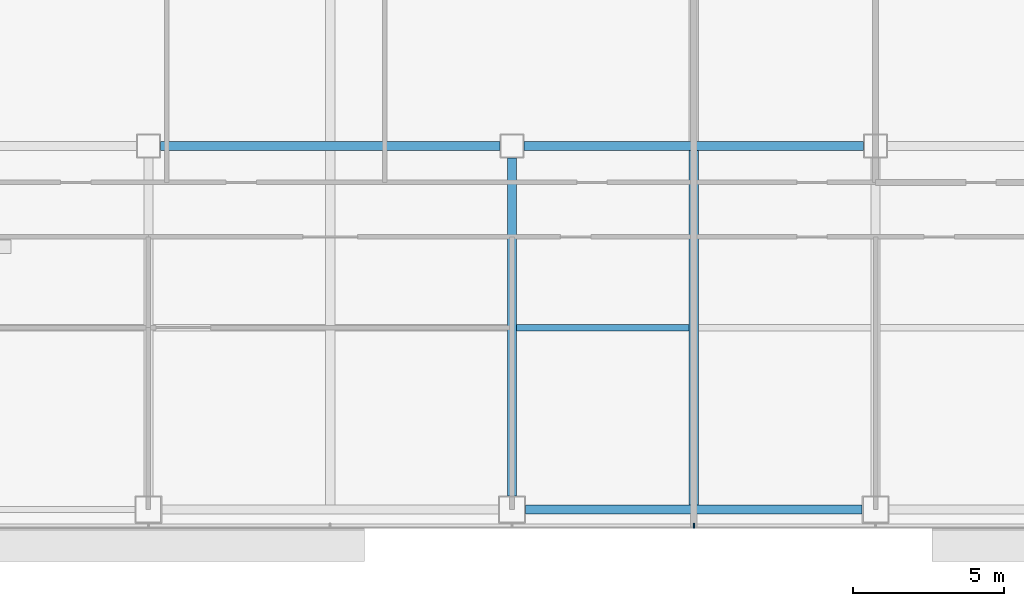
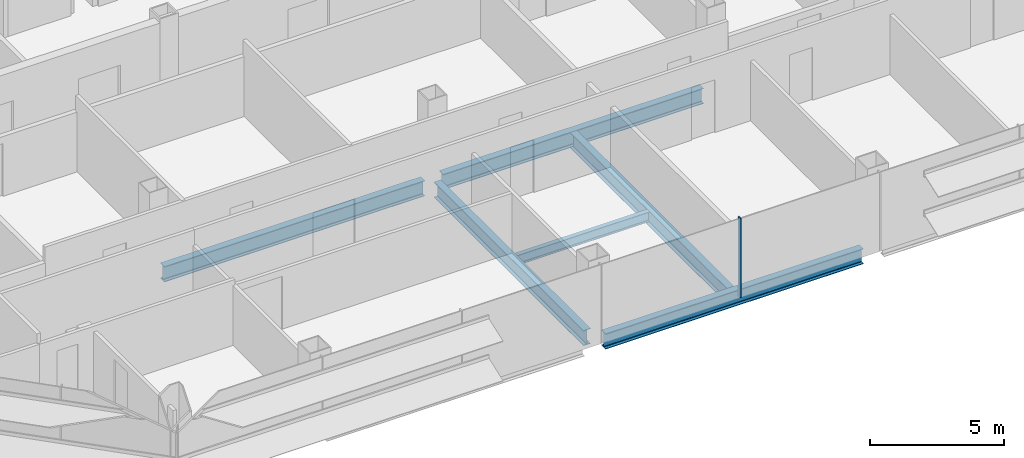
# One storey, part 3 of 27: 6 beams, 1 member, 1 element without a shape of its own.
"""IFC4 building model written with IfcOpenShell, lengths in metres."""

from ifc_helpers import new_model, si_unit, direction, frame, origin, origin_2d, place, context, subcontext, project, spatial, rectangle, i_section, extrude, material, material_profile, profile_set, type_object, element, aggregate, save


model = new_model("IFC4")

# Units and contexts
model_context = context("Model", 3, precision=1e-05, world=origin(), true_north=direction((0.0, 1.0)))
body_context = subcontext(model_context, "Body", "Model", "MODEL_VIEW")
ifc_project = project(units=[si_unit("LENGTHUNIT", "METRE"), si_unit("AREAUNIT", "SQUARE_METRE"), si_unit("VOLUMEUNIT", "CUBIC_METRE"), si_unit("PLANEANGLEUNIT", "RADIAN"), si_unit("MASSUNIT", "GRAM", prefix="KILO")], contexts=[model_context])

# Site, building, storey
site_placement = place(None, origin())
site = spatial("IfcSite", under=ifc_project, at=site_placement, CompositionType="ELEMENT")
building_placement = place(site_placement, origin())
building = spatial("IfcBuilding", under=site, at=building_placement, Name="Sorahane Residences", CompositionType="ELEMENT")
storey_placement = place(building_placement, frame((0.0, 0.0, 78.60009765625)))
storey = spatial("IfcBuildingStorey", under=building, at=storey_placement, Name="L16", CompositionType="ELEMENT", Elevation=78.60009765625)

# Curtain wall, member
ifc_material_1 = material(Name="Dark low-e glass and black anodised aluminium", Category="aluminium")
curtain_wall_type = type_object("IfcCurtainWallType", Name="Curtain wall CW-1 Typical unitised wall", PredefinedType="NOTDEFINED", material=ifc_material_1)
curtain_wall_placement = place(storey_placement, origin())
curtain_wall = element("IfcCurtainWall", 1, at=curtain_wall_placement, inside=storey, type_object=curtain_wall_type, Name="CW-1 curtain wall L16 S1", PredefinedType="NOTDEFINED")
ifc_material_2 = material(Name="Black anodised aluminium", Category="aluminium")
ifc_material_profile_1 = material_profile(ifc_material_2, rectangle(XDim=0.159912109375, YDim=0.050048828125, at=origin_2d()), Name="Curtain wall mullion CW-1 black anodised aluminium 50x160")
ifc_profile_set_1 = profile_set([ifc_material_profile_1], Name="Black anodised aluminium")
member_type = type_object("IfcMemberType", Name="Curtain wall mullion CW-1 black anodised aluminium 50x160", PredefinedType="MULLION", material=ifc_profile_set_1)
member_placement = place(storey_placement, frame((30.0, -0.5400390625, -0.18017578125), z_axis=(0.0, 0.0, 1.0), x_axis=(0.0, -1.0, 0.0)))
member = element("IfcMember", 2, at=member_placement, type_object=member_type, Name="CW-1 mullion L16 S1.5", PredefinedType="MULLION", context=body_context, shape_type="SweptSolid", body=[
    extrude(rectangle(XDim=0.159912109375, YDim=0.050048828125, at=origin_2d()), origin(), (0.0, 0.0, 1.0), 3.60009765625),
])
aggregate(curtain_wall, [member])

# Beams
ifc_material_3 = material(Name="Steel Q355B", Category="steel")
ifc_material_profile_2 = material_profile(ifc_material_3, i_section(OverallWidth=0.199951171875, OverallDepth=0.449951171875, WebThickness=0.009033203125, FlangeThickness=0.013916015625, FilletRadius=0.02001953125, at=origin_2d()), Name="HN 450x200x9x14")
ifc_profile_set_2 = profile_set([ifc_material_profile_2], Name="Steel Q355B")
beam_type_1 = type_object("IfcBeamType", Name="Steel floor beam HN 450x200x9x14 Q355B", PredefinedType="BEAM", material=ifc_profile_set_2)
beam_1_placement = place(storey_placement, frame((24.14990234375, 6.0, -0.405029296875), z_axis=(1.0, 0.0, 0.0), x_axis=(0.0, 1.0, 0.0)))
element("IfcBeam", 3, at=beam_1_placement, inside=storey, type_object=beam_type_1, Name="Beam L16 065", PredefinedType="BEAM", context=body_context, shape_type="SweptSolid", body=[
    extrude(i_section(OverallWidth=0.199951171875, OverallDepth=0.449951171875, WebThickness=0.009033203125, FlangeThickness=0.013916015625, FilletRadius=0.02001953125, at=origin_2d()), origin(), (0.0, 0.0, 1.0), 5.7001953125),
])
ifc_material_4 = material(Name="Steel Q355B", Category="steel")
ifc_material_profile_3 = material_profile(ifc_material_4, i_section(OverallWidth=0.300048828125, OverallDepth=0.699951171875, WebThickness=0.012939453125, FlangeThickness=0.02392578125, FilletRadius=0.028076171875, at=origin_2d()), Name="HN 700x300x13x24")
ifc_profile_set_3 = profile_set([ifc_material_profile_3], Name="Steel Q355B")
beam_type_2 = type_object("IfcBeamType", Name="Steel floor beam HN 700x300x13x24 Q355B", PredefinedType="BEAM", material=ifc_profile_set_3)
beam_2_placement = place(storey_placement, frame((24.449951171875, 0.0, -0.530029296875), z_axis=(1.0, 0.0, 0.0), x_axis=(0.0, 1.0, 0.0)))
element("IfcBeam", 4, at=beam_2_placement, inside=storey, type_object=beam_type_2, Name="Beam L16 002", PredefinedType="BEAM", context=body_context, shape_type="SweptSolid", body=[
    extrude(i_section(OverallWidth=0.300048828125, OverallDepth=0.699951171875, WebThickness=0.012939453125, FlangeThickness=0.02392578125, FilletRadius=0.028076171875, at=origin_2d()), origin(), (0.0, 0.0, 1.0), 11.10009765625),
])
for number, where, z_axis, x_axis, name in (
    (5, (12.39990234375, 12.0, -0.530029296875), (1.0, 0.0, 0.0), (0.0, 1.0, 0.0), "Beam L16 006"),
    (6, (24.39990234375, 12.0, -0.530029296875), (1.0, 0.0, 0.0), (0.0, 1.0, 0.0), "Beam L16 007"),
):
    element("IfcBeam", number, at=place(storey_placement, frame(where, z_axis=z_axis, x_axis=x_axis)), inside=storey, type_object=beam_type_2, Name=name, PredefinedType="BEAM", context=body_context, shape_type="SweptSolid", body=[
        extrude(i_section(OverallWidth=0.300048828125, OverallDepth=0.699951171875, WebThickness=0.012939453125, FlangeThickness=0.02392578125, FilletRadius=0.028076171875, at=origin_2d()), origin(), (0.0, 0.0, 1.0), 11.2001953125),
    ])
beam_3_placement = place(storey_placement, frame((24.0, 0.449951171875, -0.530029296875), z_axis=(0.0, 1.0, 0.0), x_axis=(-1.0, 0.0, 0.0)))
element("IfcBeam", 7, at=beam_3_placement, inside=storey, type_object=beam_type_2, Name="Beam L16 035", PredefinedType="BEAM", context=body_context, shape_type="SweptSolid", body=[
    extrude(i_section(OverallWidth=0.300048828125, OverallDepth=0.699951171875, WebThickness=0.012939453125, FlangeThickness=0.02392578125, FilletRadius=0.028076171875, at=origin_2d()), origin(), (0.0, 0.0, 1.0), 11.150146484375),
])
beam_4_placement = place(storey_placement, frame((30.0, 0.14990234375, -0.530029296875), z_axis=(0.0, 1.0, 0.0), x_axis=(-1.0, 0.0, 0.0)))
element("IfcBeam", 8, at=beam_4_placement, inside=storey, type_object=beam_type_2, Name="Beam L16 037", PredefinedType="BEAM", context=body_context, shape_type="SweptSolid", body=[
    extrude(i_section(OverallWidth=0.300048828125, OverallDepth=0.699951171875, WebThickness=0.012939453125, FlangeThickness=0.02392578125, FilletRadius=0.028076171875, at=origin_2d()), origin(), (0.0, 0.0, 1.0), 11.7001953125),
])

save(model, "model.ifc")
